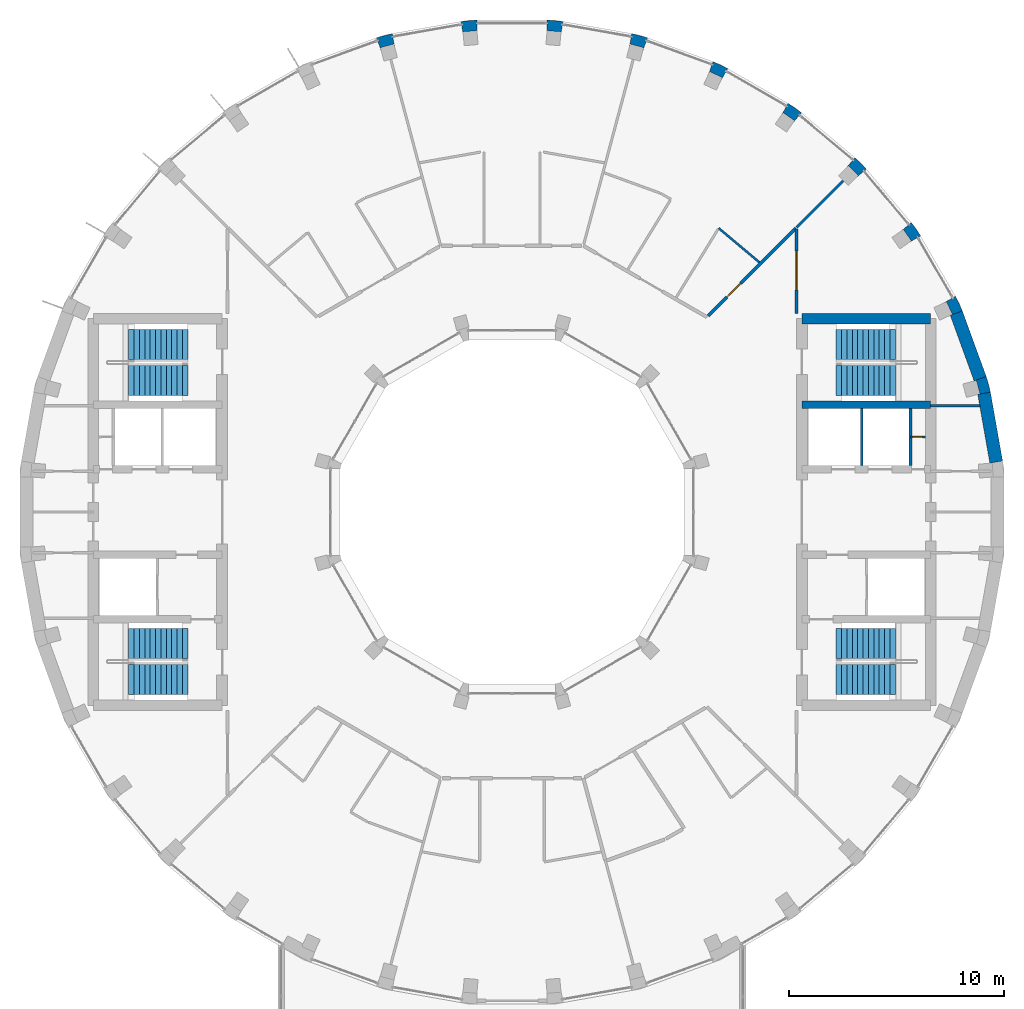
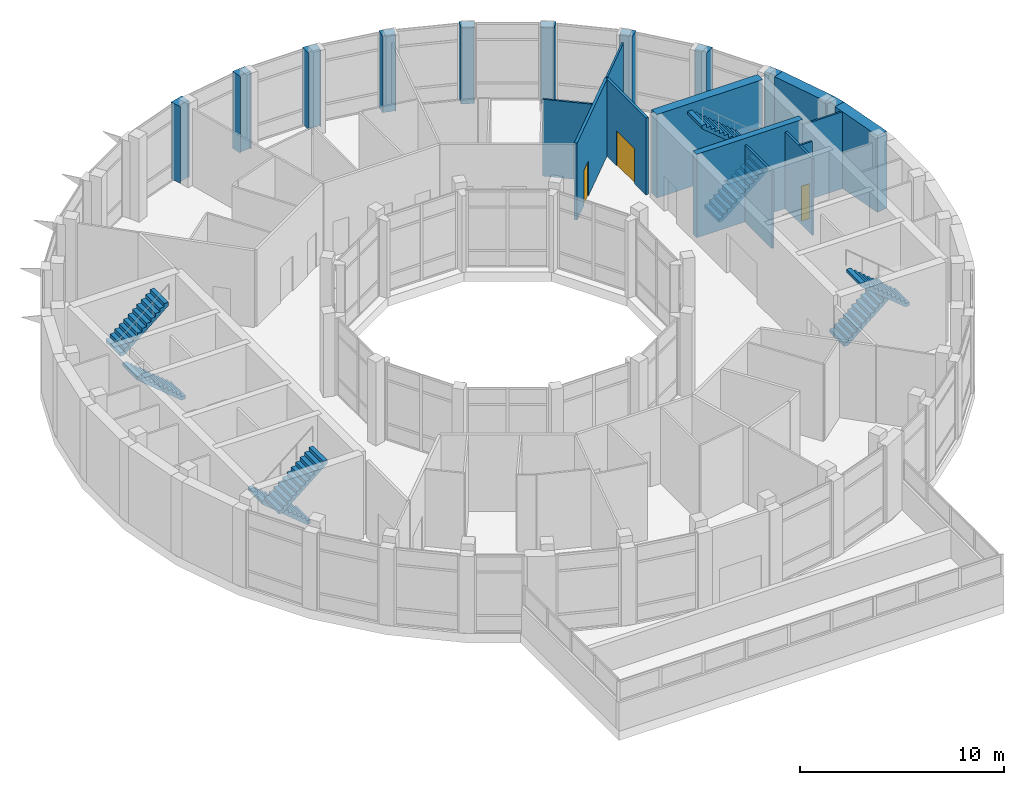
# One storey, part 17 of 19: 22 walls, 8 stair flights, 3 doors, 3 openings, 4 elements without a shape of their own.
"""IFC4 building model written with IfcOpenShell, lengths in metres."""

from ifc_helpers import new_model, si_unit, direction, frame, frame_2d, origin, place, context, subcontext, project, spatial, polyline, rectangle, outline, extrude, material, layer, layer_set, type_object, element, fill, aggregate, save


model = new_model("IFC4")

# Units and contexts
model_context = context("Model", 3, precision=1e-05, world=origin(), true_north=direction((0.0, 1.0)))
body_context = subcontext(model_context, "Body", "Model", "MODEL_VIEW")
ifc_project = project(units=[si_unit("LENGTHUNIT", "METRE"), si_unit("AREAUNIT", "SQUARE_METRE"), si_unit("VOLUMEUNIT", "CUBIC_METRE"), si_unit("PLANEANGLEUNIT", "RADIAN"), si_unit("MASSUNIT", "GRAM", prefix="KILO")], contexts=[model_context])

# Site, building, storey
site_placement = place(None, origin())
site = spatial("IfcSite", under=ifc_project, at=site_placement, CompositionType="ELEMENT")
building_placement = place(site_placement, origin())
building = spatial("IfcBuilding", under=site, at=building_placement, Name="Saqina Gate Tower", CompositionType="ELEMENT")
storey_placement = place(building_placement, frame((0.0, 0.0, 224.699951171875)))
storey = spatial("IfcBuildingStorey", under=building, at=storey_placement, Name="L64", CompositionType="ELEMENT", Elevation=224.699951171875)

# Walls
ifc_material_1 = material(Name="Brick masonry (buff)", Category="masonry")
wall_type_1 = type_object("IfcWallType", Name="BRICK PIER COPING BUFF", PredefinedType="SOLIDWALL", material=ifc_material_1)
wall_1_placement = place(storey_placement, origin())
element("IfcWall", 1, at=wall_1_placement, inside=storey, type_object=wall_type_1, Name="Pier cap L64 column 2", PredefinedType="SOLIDWALL", context=body_context, shape_type="SweptSolid", body=[
    extrude(outline(polyline([(22.0869140625, 6.30859375), (21.52294921875, 6.103515625), (21.625, 6.130859375), (21.793212890625, 5.5029296875), (21.691162109375, 5.4755859375), (22.281982421875, 5.579833984375), (22.0869140625, 6.30859375)])), origin(), (0.0, 0.0, 1.0), 4.60009765625),
])
wall_2_placement = place(storey_placement, origin())
element("IfcWall", 2, at=wall_2_placement, inside=storey, type_object=wall_type_1, Name="Pier cap L64 column 3", PredefinedType="SOLIDWALL", context=body_context, shape_type="SweptSolid", body=[
    extrude(outline(polyline([(20.974609375, 9.3642578125), (20.65576171875, 10.048095703125), (20.135986328125, 9.748291015625), (20.23193359375, 9.79296875), (20.506591796875, 9.203857421875), (20.410888671875, 9.1591796875), (20.974609375, 9.3642578125)])), origin(), (0.0, 0.0, 1.0), 4.60009765625),
])
wall_3_placement = place(storey_placement, origin())
element("IfcWall", 3, at=wall_3_placement, inside=storey, type_object=wall_type_1, Name="Pier cap L64 column 4", PredefinedType="SOLIDWALL", context=body_context, shape_type="SweptSolid", body=[
    extrude(outline(polyline([(19.02978515625, 12.8642578125), (18.59716796875, 13.482421875), (18.137451171875, 13.0966796875), (18.22412109375, 13.157470703125), (18.596923828125, 12.625), (18.51025390625, 12.564208984375), (19.02978515625, 12.8642578125)])), origin(), (0.0, 0.0, 1.0), 4.60009765625),
])
wall_4_placement = place(storey_placement, origin())
element("IfcWall", 4, at=wall_4_placement, inside=storey, type_object=wall_type_1, Name="Pier cap L64 column 5", PredefinedType="SOLIDWALL", context=body_context, shape_type="SweptSolid", body=[
    extrude(outline(polyline([(15.973388671875, 16.5068359375), (15.587646484375, 16.04736328125), (15.662353515625, 16.1220703125), (16.1220703125, 15.662353515625), (16.04736328125, 15.587646484375), (16.5068359375, 15.973388671875), (15.973388671875, 16.5068359375)])), origin(), (0.0, 0.0, 1.0), 4.60009765625),
])
wall_5_placement = place(storey_placement, origin())
element("IfcWall", 5, at=wall_5_placement, inside=storey, type_object=wall_type_1, Name="Pier cap L64 column 6", PredefinedType="SOLIDWALL", context=body_context, shape_type="SweptSolid", body=[
    extrude(outline(polyline([(12.8642578125, 19.02978515625), (12.564208984375, 18.51025390625), (12.625, 18.596923828125), (13.157470703125, 18.22412109375), (13.0966796875, 18.137451171875), (13.482421875, 18.59716796875), (12.8642578125, 19.02978515625)])), origin(), (0.0, 0.0, 1.0), 4.60009765625),
])
wall_6_placement = place(storey_placement, origin())
element("IfcWall", 6, at=wall_6_placement, inside=storey, type_object=wall_type_1, Name="Pier cap L64 column 7", PredefinedType="SOLIDWALL", context=body_context, shape_type="SweptSolid", body=[
    extrude(outline(polyline([(10.048095703125, 20.65576171875), (9.3642578125, 20.974609375), (9.1591796875, 20.410888671875), (9.203857421875, 20.506591796875), (9.79296875, 20.23193359375), (9.748291015625, 20.135986328125), (10.048095703125, 20.65576171875)])), origin(), (0.0, 0.0, 1.0), 4.60009765625),
])
wall_7_placement = place(storey_placement, origin())
element("IfcWall", 7, at=wall_7_placement, inside=storey, type_object=wall_type_1, Name="Pier cap L64 column 8", PredefinedType="SOLIDWALL", context=body_context, shape_type="SweptSolid", body=[
    extrude(outline(polyline([(5.579833984375, 22.281982421875), (5.4755859375, 21.691162109375), (5.5029296875, 21.793212890625), (6.130859375, 21.625), (6.103515625, 21.52294921875), (6.30859375, 22.0869140625), (5.579833984375, 22.281982421875)])), origin(), (0.0, 0.0, 1.0), 4.60009765625),
])
wall_8_placement = place(storey_placement, origin())
element("IfcWall", 8, at=wall_8_placement, inside=storey, type_object=wall_type_1, Name="Pier cap L64 column 9", PredefinedType="SOLIDWALL", context=body_context, shape_type="SweptSolid", body=[
    extrude(outline(polyline([(2.377685546875, 22.8466796875), (1.625732421875, 22.91259765625), (1.625732421875, 22.3125), (1.635009765625, 22.417724609375), (2.28271484375, 22.361083984375), (2.2734375, 22.255859375), (2.377685546875, 22.8466796875)])), origin(), (0.0, 0.0, 1.0), 4.60009765625),
])
wall_9_placement = place(storey_placement, origin())
element("IfcWall", 9, at=wall_9_placement, inside=storey, type_object=wall_type_1, Name="Pier cap L64 column 10", PredefinedType="SOLIDWALL", context=body_context, shape_type="SweptSolid", body=[
    extrude(outline(polyline([(-1.625732421875, 22.91259765625), (-2.377685546875, 22.8466796875), (-2.2734375, 22.255859375), (-2.28271484375, 22.361083984375), (-1.635009765625, 22.417724609375), (-1.625732421875, 22.3125), (-1.625732421875, 22.91259765625)])), origin(), (0.0, 0.0, 1.0), 4.60009765625),
])
wall_10_placement = place(storey_placement, origin())
element("IfcWall", 10, at=wall_10_placement, inside=storey, type_object=wall_type_1, Name="Pier cap L64 column 11", PredefinedType="SOLIDWALL", context=body_context, shape_type="SweptSolid", body=[
    extrude(outline(polyline([(-6.30859375, 22.0869140625), (-6.103515625, 21.52294921875), (-6.130859375, 21.625), (-5.5029296875, 21.793212890625), (-5.4755859375, 21.691162109375), (-5.579833984375, 22.281982421875), (-6.30859375, 22.0869140625)])), origin(), (0.0, 0.0, 1.0), 4.60009765625),
])

# Wall, opening, door
ifc_material_2 = material(Name="Gypsum board on steel studs", Category="steel")
ifc_layer_1 = layer(ifc_material_2, 0.10009765625)
ifc_layer_set_1 = layer_set([ifc_layer_1], Name="CORE PARTITION")
wall_type_2 = type_object("IfcWallType", Name="CORE PARTITION", PredefinedType="PARTITIONING", material=ifc_layer_set_1)
wall_11_placement = place(storey_placement, frame((18.56005859375, 3.5, 0.0), z_axis=(0.0, 0.0, 1.0), x_axis=(1.0, 0.0, 0.0)))
wall_11 = element("IfcWall", 11, at=wall_11_placement, inside=storey, type_object=wall_type_2, Name="L64-CP-E01", PredefinedType="PARTITIONING", context=body_context, shape_type="SweptSolid", body=[
    extrude(rectangle(XDim=0.68994140625, YDim=0.10009765625, at=frame_2d((0.344970703125, 0.0))), origin(), (0.0, 0.0, 1.0), 4.60009765625),
])
opening_1_placement = place(wall_11_placement, frame((0.10009765625, 0.0, 0.0)))
opening_1 = element("IfcOpeningElement", 12, at=opening_1_placement, cuts=wall_11, Name="Opening L64-D96", PredefinedType="OPENING", context=body_context, shape_type="SweptSolid", body=[
    extrude(rectangle(XDim=0.449951171875, YDim=2.10009765625, at=frame_2d((0.22509765625, 1.050048828125))), frame((0.0, 0.06201171875, 0.0), z_axis=(0.0, -1.0, 0.0), x_axis=(1.0, 0.0, 0.0)), (0.0, 0.0, 1.0), 0.1240234375),
])
ifc_material_3 = material(Name="Steel-framed fire door leaf, EI 60", Category="steel")
door_type_1 = type_object("IfcDoorType", Name="SERVICE ROOM DOOR 450", OperationType="SINGLE_SWING_LEFT", PredefinedType="DOOR", material=ifc_material_3)
door_1_placement = place(opening_1_placement, origin())
door_1 = element("IfcDoor", 13, at=door_1_placement, inside=storey, type_object=door_type_1, Name="L64-CD-E07", OperationType="SINGLE_SWING_RIGHT", OverallHeight=2.10009765625, OverallWidth=0.449951171875, PredefinedType="DOOR", context=body_context, shape_type="SweptSolid", body=[
    extrude(rectangle(XDim=0.449951171875, YDim=2.10009765625, at=frame_2d((0.22509765625, 1.050048828125))), frame((0.0, 0.02490234375, 0.0), z_axis=(0.0, -1.0, 0.0), x_axis=(1.0, 0.0, 0.0)), (0.0, 0.0, 1.0), 0.050048828125),
])
fill(opening_1, door_1)

# Walls
wall_12_placement = place(storey_placement, frame((19.5, 4.949951171875, 0.0), z_axis=(0.0, 0.0, 1.0), x_axis=(1.0, 0.0, 0.0)))
element("IfcWall", 14, at=wall_12_placement, inside=storey, type_object=wall_type_2, Name="L64-CP-E02", PredefinedType="PARTITIONING", context=body_context, shape_type="SweptSolid", body=[
    extrude(rectangle(XDim=2.283935546875, YDim=0.10009765625, at=frame_2d((1.14208984375, 0.0))), origin(), (0.0, 0.0, 1.0), 4.60009765625),
])
ifc_material_4 = material(Name="Glazed ceramic tile", Category="ceramic")
ifc_layer_2 = layer(ifc_material_4, 0.60009765625)
ifc_layer_set_2 = layer_set([ifc_layer_2], Name="FW-TILE")
wall_type_3 = type_object("IfcWallType", Name="FW-TILE", PredefinedType="SOLIDWALL", material=ifc_layer_set_2)
wall_13_placement = place(storey_placement, frame((22.55126953125, 2.325439453125, 0.0), z_axis=(0.0, 0.0, 1.0), x_axis=(-0.173656842178, 0.984806225186, 0.0)))
element("IfcWall", 15, at=wall_13_placement, inside=storey, type_object=wall_type_3, Name="Facade wall L64 facet 1", PredefinedType="SOLIDWALL", context=body_context, shape_type="SweptSolid", body=[
    extrude(rectangle(XDim=3.251708984375, YDim=0.60009765625, at=frame_2d((1.6259765625, 0.0))), origin(), (0.0, 0.0, 1.0), 4.60009765625),
])
ifc_material_5 = material(Name="Glazed ceramic tile (dark blue)", Category="ceramic")
ifc_layer_3 = layer(ifc_material_5, 0.60009765625)
ifc_layer_set_3 = layer_set([ifc_layer_3], Name="FW-TILE-CB")
wall_type_4 = type_object("IfcWallType", Name="FW-TILE-CB", PredefinedType="SOLIDWALL", material=ifc_layer_set_3)
wall_14_placement = place(storey_placement, frame((21.804931640625, 6.2060546875, 0.0), z_axis=(0.0, 0.0, 1.0), x_axis=(-0.342056509473, 0.939679383794, 0.0)))
element("IfcWall", 16, at=wall_14_placement, inside=storey, type_object=wall_type_4, Name="Facade wall L64 facet 2", PredefinedType="SOLIDWALL", context=body_context, shape_type="SweptSolid", body=[
    extrude(rectangle(XDim=3.251708984375, YDim=0.60009765625, at=frame_2d((1.6259765625, 0.0))), origin(), (0.0, 0.0, 1.0), 4.60009765625),
])
ifc_material_6 = material(Name="Autoclaved aerated concrete block", Category="concrete")
ifc_layer_4 = layer(ifc_material_6, 0.1201171875)
ifc_layer_set_4 = layer_set([ifc_layer_4], Name="SHAFT PARTITION")
wall_type_5 = type_object("IfcWallType", Name="SHAFT PARTITION", PredefinedType="PARTITIONING", material=ifc_layer_set_4)
for number, where, z_axis, x_axis, name in (
    (17, (16.280029296875, 2.175048828125, 0.0), (0.0, 0.0, 1.0), (0.0, 1.0, 0.0), "L64-CP-E07"),
    (18, (18.56005859375, 2.175048828125, 0.0), (0.0, 0.0, 1.0), (0.0, 1.0, 0.0), "L64-CP-E08"),
):
    element("IfcWall", number, at=place(storey_placement, frame(where, z_axis=z_axis, x_axis=x_axis)), inside=storey, type_object=wall_type_5, Name=name, PredefinedType="PARTITIONING", context=body_context, shape_type="SweptSolid", body=[
        extrude(rectangle(XDim=2.64990234375, YDim=0.1201171875, at=frame_2d((1.324951171875, 0.0))), origin(), (0.0, 0.0, 1.0), 4.60009765625),
    ])
ifc_material_7 = material(Name="Gypsum board on steel studs, 100 mm", Category="steel")
ifc_layer_5 = layer(ifc_material_7, 0.10009765625)
ifc_layer_set_5 = layer_set([ifc_layer_5], Name="SPECIAL PARTITION 100")
wall_type_6 = type_object("IfcWallType", Name="SPECIAL PARTITION 100", PredefinedType="PARTITIONING", material=ifc_layer_set_5)
wall_15_placement = place(storey_placement, frame((9.625, 13.218017578125, 0.0), z_axis=(0.0, 0.0, 1.0), x_axis=(0.766147679589, -0.642664557184, 0.0)))
element("IfcWall", 19, at=wall_15_placement, inside=storey, type_object=wall_type_6, Name="PARTITION 013", PredefinedType="PARTITIONING", context=body_context, shape_type="SweptSolid", body=[
    extrude(rectangle(XDim=2.475341796875, YDim=0.10009765625, at=frame_2d((1.23779296875, 0.0))), origin(), (0.0, 0.0, 1.0), 4.60009765625),
])
wall_16_placement = place(storey_placement, frame((13.25, 13.25, 0.0), z_axis=(0.0, 0.0, 1.0), x_axis=(0.707106781187, 0.707106781187, 0.0)))
element("IfcWall", 20, at=wall_16_placement, inside=storey, type_object=wall_type_6, Name="PARTITION 035", PredefinedType="PARTITIONING", context=body_context, shape_type="SweptSolid", body=[
    extrude(rectangle(XDim=3.07666015625, YDim=0.10009765625, at=frame_2d((1.538330078125, 0.0))), origin(), (0.0, 0.0, 1.0), 4.60009765625),
])

# Wall, opening, door
ifc_material_8 = material(Name="Gypsum board on steel studs, 150 mm, fire rated", Category="steel")
ifc_layer_6 = layer(ifc_material_8, 0.14990234375)
ifc_layer_set_6 = layer_set([ifc_layer_6], Name="SPECIAL PARTITION EI 30 150")
wall_type_7 = type_object("IfcWallType", Name="SPECIAL PARTITION EI 30 150", PredefinedType="PARTITIONING", material=ifc_layer_set_6)
wall_17_placement = place(storey_placement, frame((9.1298828125, 9.1298828125, 0.0), z_axis=(0.0, 0.0, 1.0), x_axis=(0.707106781187, 0.707106781187, 0.0)))
wall_17 = element("IfcWall", 21, at=wall_17_placement, inside=storey, type_object=wall_type_7, Name="PARTITION 037", PredefinedType="PARTITIONING", context=body_context, shape_type="SweptSolid", body=[
    extrude(rectangle(XDim=5.776611328125, YDim=0.14990234375, at=frame_2d((2.88818359375, 0.0))), origin(), (0.0, 0.0, 1.0), 4.60009765625),
])
opening_2_placement = place(wall_17_placement, frame((1.244140625, 0.0, 0.0)))
opening_2 = element("IfcOpeningElement", 22, at=opening_2_placement, cuts=wall_17, Name="Opening L64-D02", PredefinedType="OPENING", context=body_context, shape_type="SweptSolid", body=[
    extrude(rectangle(XDim=0.89990234375, YDim=2.10009765625, at=frame_2d((0.449951171875, 1.050048828125))), frame((0.0, 0.0869140625, 0.0), z_axis=(0.0, -1.0, 0.0), x_axis=(1.0, 0.0, 0.0)), (0.0, 0.0, 1.0), 0.173828125),
])
ifc_material_9 = material(Name="Steel-framed fire door leaf, EI 30", Category="steel")
door_type_2 = type_object("IfcDoorType", Name="SPECIAL DOOR 900 FIRE EI 30", OperationType="SINGLE_SWING_LEFT", PredefinedType="DOOR", material=ifc_material_9)
door_2_placement = place(opening_2_placement, origin())
door_2 = element("IfcDoor", 23, at=door_2_placement, inside=storey, type_object=door_type_2, Name="DOOR L64-D02", OperationType="SINGLE_SWING_LEFT", OverallHeight=2.10009765625, OverallWidth=0.89990234375, PredefinedType="DOOR", context=body_context, shape_type="SweptSolid", body=[
    extrude(rectangle(XDim=0.89990234375, YDim=2.10009765625, at=frame_2d((0.449951171875, 1.050048828125))), frame((0.0, 0.02490234375, 0.0), z_axis=(0.0, -1.0, 0.0), x_axis=(1.0, 0.0, 0.0)), (0.0, 0.0, 1.0), 0.050048828125),
])
fill(opening_2, door_2)

wall_18_placement = place(storey_placement, frame((13.25, 9.25, 0.0), z_axis=(0.0, 0.0, 1.0), x_axis=(0.0, 1.0, 0.0)))
wall_18 = element("IfcWall", 24, at=wall_18_placement, inside=storey, type_object=wall_type_7, Name="PARTITION 045", PredefinedType="PARTITIONING", context=body_context, shape_type="SweptSolid", body=[
    extrude(rectangle(XDim=3.925048828125, YDim=0.14990234375, at=frame_2d((1.96240234375, 0.0))), origin(), (0.0, 0.0, 1.0), 4.60009765625),
])
opening_3_placement = place(wall_18_placement, frame((1.10009765625, 0.0, 0.0)))
opening_3 = element("IfcOpeningElement", 25, at=opening_3_placement, cuts=wall_18, Name="Opening L64-D01", PredefinedType="OPENING", context=body_context, shape_type="SweptSolid", body=[
    extrude(rectangle(XDim=1.800048828125, YDim=2.10009765625, at=frame_2d((0.89990234375, 1.050048828125))), frame((0.0, 0.0869140625, 0.0), z_axis=(0.0, -1.0, 0.0), x_axis=(1.0, 0.0, 0.0)), (0.0, 0.0, 1.0), 0.173828125),
])
ifc_material_10 = material(Name="Steel-framed fire door leaf, EI 30", Category="steel")
door_type_3 = type_object("IfcDoorType", Name="SPECIAL DOUBLE DOOR 1800 FIRE EI 30", OperationType="DOUBLE_DOOR_SINGLE_SWING", PredefinedType="DOOR", material=ifc_material_10)
door_3_placement = place(opening_3_placement, frame((1.800048828125, 0.0, 0.0), z_axis=(0.0, 0.0, 1.0), x_axis=(-1.0, 0.0, 0.0)))
door_3 = element("IfcDoor", 26, at=door_3_placement, inside=storey, type_object=door_type_3, Name="DOOR L64-D01", OperationType="DOUBLE_DOOR_SINGLE_SWING", OverallHeight=2.10009765625, OverallWidth=1.800048828125, PredefinedType="DOOR", context=body_context, shape_type="SweptSolid", body=[
    extrude(rectangle(XDim=1.800048828125, YDim=2.10009765625, at=frame_2d((0.89990234375, 1.050048828125))), frame((0.0, 0.02490234375, 0.0), z_axis=(0.0, -1.0, 0.0), x_axis=(1.0, 0.0, 0.0)), (0.0, 0.0, 1.0), 0.050048828125),
])
fill(opening_3, door_3)

# Walls
ifc_material_11 = material(Name="Concrete C60/75", Category="concrete")
ifc_layer_7 = layer(ifc_material_11, 0.35009765625)
ifc_layer_set_7 = layer_set([ifc_layer_7], Name="Concrete C60/75")
wall_type_8 = type_object("IfcWallType", Name="STR-CORE WALL-D-I", PredefinedType="SHEAR", material=ifc_layer_set_7)
wall_19_placement = place(storey_placement, frame((13.5, 5.0, 0.0), z_axis=(0.0, 0.0, 1.0), x_axis=(1.0, 0.0, 0.0)))
element("IfcWall", 27, at=wall_19_placement, inside=storey, type_object=wall_type_8, Name="CORE WALL L64 E-X1", PredefinedType="SHEAR", context=body_context, shape_type="SweptSolid", body=[
    extrude(rectangle(XDim=6.0, YDim=0.35009765625, at=frame_2d((3.0, 0.0))), origin(), (0.0, 0.0, 1.0), 5.0),
])
ifc_material_12 = material(Name="Concrete C60/75", Category="concrete")
ifc_layer_8 = layer(ifc_material_12, 0.5)
ifc_layer_set_8 = layer_set([ifc_layer_8], Name="Concrete C60/75")
wall_type_9 = type_object("IfcWallType", Name="STR-CORE WALL-D-O", PredefinedType="SHEAR", material=ifc_layer_set_8)
wall_20_placement = place(storey_placement, frame((13.5, 9.0, 0.0), z_axis=(0.0, 0.0, 1.0), x_axis=(1.0, 0.0, 0.0)))
element("IfcWall", 28, at=wall_20_placement, inside=storey, type_object=wall_type_9, Name="CORE WALL L64 E-NE", PredefinedType="SHEAR", context=body_context, shape_type="SweptSolid", body=[
    extrude(rectangle(XDim=6.0, YDim=0.5, at=frame_2d((3.0, 0.0))), origin(), (0.0, 0.0, 1.0), 5.0),
])

# Stair, stair flights
ifc_material_13 = material(Name="Concrete C40/50", Category="concrete")
stair_type = type_object("IfcStairType", Name="EXIT STAIR", PredefinedType="HALF_TURN_STAIR", material=ifc_material_13)
stair_1_placement = place(storey_placement, origin())
stair_1 = element("IfcStair", 29, at=stair_1_placement, inside=storey, type_object=stair_type, Name="EXIT STAIR 1", PredefinedType="HALF_TURN_STAIR")
ifc_material_14 = material(Name="Concrete C40/50", Category="concrete")
stair_flight_type = type_object("IfcStairFlightType", Name="EXIT STAIR FLIGHT", PredefinedType="STRAIGHT", material=ifc_material_14)
stair_flight_1_placement = place(storey_placement, frame((15.10009765625, 6.13330078125, 0.0), z_axis=(0.0, 0.0, 1.0), x_axis=(1.0, 0.0, 0.0)))
stair_flight_1 = element("IfcStairFlight", 30, at=stair_flight_1_placement, type_object=stair_flight_type, Name="EXIT STAIR 1 FLIGHT 1", NumberOfRisers=12, NumberOfTreads=11, PredefinedType="STRAIGHT", RiserHeight=0.208333333, TreadLength=0.25, context=body_context, shape_type="SweptSolid", body=[
    extrude(outline(polyline([(0.0, 0.0), (0.0, 0.208251953125), (0.25, 0.208251953125), (0.25, 0.416748046875), (0.5, 0.416748046875), (0.5, 0.625), (0.75, 0.625), (0.75, 0.833251953125), (1.0, 0.833251953125), (1.0, 1.041748046875), (1.25, 1.041748046875), (1.25, 1.25), (1.5, 1.25), (1.5, 1.458251953125), (1.75, 1.458251953125), (1.75, 1.666748046875), (2.0, 1.666748046875), (2.0, 1.875), (2.25, 1.875), (2.25, 2.083251953125), (2.5, 2.083251953125), (2.5, 2.291748046875), (2.75, 2.291748046875), (2.75, 2.5), (2.75, 2.096435546875), (0.234130859375, 0.0), (0.0, 0.0)])), frame((0.0, 0.699951171875, 0.0), z_axis=(0.0, -1.0, 0.0), x_axis=(1.0, 0.0, 0.0)), (0.0, 0.0, 1.0), 1.39990234375),
])
stair_flight_2_placement = place(storey_placement, frame((17.85009765625, 7.791748046875, 2.5), z_axis=(0.0, 0.0, 1.0), x_axis=(-1.0, 0.0, 0.0)))
stair_flight_2 = element("IfcStairFlight", 31, at=stair_flight_2_placement, type_object=stair_flight_type, Name="EXIT STAIR 1 FLIGHT 2", NumberOfRisers=12, NumberOfTreads=11, PredefinedType="STRAIGHT", RiserHeight=0.208333333, TreadLength=0.25, context=body_context, shape_type="SweptSolid", body=[
    extrude(outline(polyline([(0.0, 0.0), (0.0, 0.208251953125), (0.25, 0.208251953125), (0.25, 0.416748046875), (0.5, 0.416748046875), (0.5, 0.625), (0.75, 0.625), (0.75, 0.833251953125), (1.0, 0.833251953125), (1.0, 1.041748046875), (1.25, 1.041748046875), (1.25, 1.25), (1.5, 1.25), (1.5, 1.458251953125), (1.75, 1.458251953125), (1.75, 1.666748046875), (2.0, 1.666748046875), (2.0, 1.875), (2.25, 1.875), (2.25, 2.083251953125), (2.5, 2.083251953125), (2.5, 2.291748046875), (2.75, 2.291748046875), (2.75, 2.5), (2.75, 2.096435546875), (0.234130859375, 0.0), (0.0, 0.0)])), frame((0.0, 0.699951171875, 0.0), z_axis=(0.0, -1.0, 0.0), x_axis=(1.0, 0.0, 0.0)), (0.0, 0.0, 1.0), 1.39990234375),
])
aggregate(stair_1, [stair_flight_1, stair_flight_2])

stair_2_placement = place(storey_placement, origin())
stair_2 = element("IfcStair", 32, at=stair_2_placement, inside=storey, type_object=stair_type, Name="EXIT STAIR 2", PredefinedType="HALF_TURN_STAIR")
stair_flight_3_placement = place(storey_placement, frame((15.10009765625, -6.13330078125, 0.0), z_axis=(0.0, 0.0, 1.0), x_axis=(1.0, 0.0, 0.0)))
stair_flight_3 = element("IfcStairFlight", 33, at=stair_flight_3_placement, type_object=stair_flight_type, Name="EXIT STAIR 2 FLIGHT 1", NumberOfRisers=12, NumberOfTreads=11, PredefinedType="STRAIGHT", RiserHeight=0.208333333, TreadLength=0.25, context=body_context, shape_type="SweptSolid", body=[
    extrude(outline(polyline([(0.0, 0.0), (0.0, 0.208251953125), (0.25, 0.208251953125), (0.25, 0.416748046875), (0.5, 0.416748046875), (0.5, 0.625), (0.75, 0.625), (0.75, 0.833251953125), (1.0, 0.833251953125), (1.0, 1.041748046875), (1.25, 1.041748046875), (1.25, 1.25), (1.5, 1.25), (1.5, 1.458251953125), (1.75, 1.458251953125), (1.75, 1.666748046875), (2.0, 1.666748046875), (2.0, 1.875), (2.25, 1.875), (2.25, 2.083251953125), (2.5, 2.083251953125), (2.5, 2.291748046875), (2.75, 2.291748046875), (2.75, 2.5), (2.75, 2.096435546875), (0.234130859375, 0.0), (0.0, 0.0)])), frame((0.0, 0.699951171875, 0.0), z_axis=(0.0, -1.0, 0.0), x_axis=(1.0, 0.0, 0.0)), (0.0, 0.0, 1.0), 1.39990234375),
])
stair_flight_4_placement = place(storey_placement, frame((17.85009765625, -7.791748046875, 2.5), z_axis=(0.0, 0.0, 1.0), x_axis=(-1.0, 0.0, 0.0)))
stair_flight_4 = element("IfcStairFlight", 34, at=stair_flight_4_placement, type_object=stair_flight_type, Name="EXIT STAIR 2 FLIGHT 2", NumberOfRisers=12, NumberOfTreads=11, PredefinedType="STRAIGHT", RiserHeight=0.208333333, TreadLength=0.25, context=body_context, shape_type="SweptSolid", body=[
    extrude(outline(polyline([(0.0, 0.0), (0.0, 0.208251953125), (0.25, 0.208251953125), (0.25, 0.416748046875), (0.5, 0.416748046875), (0.5, 0.625), (0.75, 0.625), (0.75, 0.833251953125), (1.0, 0.833251953125), (1.0, 1.041748046875), (1.25, 1.041748046875), (1.25, 1.25), (1.5, 1.25), (1.5, 1.458251953125), (1.75, 1.458251953125), (1.75, 1.666748046875), (2.0, 1.666748046875), (2.0, 1.875), (2.25, 1.875), (2.25, 2.083251953125), (2.5, 2.083251953125), (2.5, 2.291748046875), (2.75, 2.291748046875), (2.75, 2.5), (2.75, 2.096435546875), (0.234130859375, 0.0), (0.0, 0.0)])), frame((0.0, 0.699951171875, 0.0), z_axis=(0.0, -1.0, 0.0), x_axis=(1.0, 0.0, 0.0)), (0.0, 0.0, 1.0), 1.39990234375),
])
aggregate(stair_2, [stair_flight_3, stair_flight_4])

stair_3_placement = place(storey_placement, origin())
stair_3 = element("IfcStair", 35, at=stair_3_placement, inside=storey, type_object=stair_type, Name="EXIT STAIR 3", PredefinedType="HALF_TURN_STAIR")
stair_flight_5_placement = place(storey_placement, frame((-15.10009765625, 6.13330078125, 0.0), z_axis=(0.0, 0.0, 1.0), x_axis=(-1.0, 0.0, 0.0)))
stair_flight_5 = element("IfcStairFlight", 36, at=stair_flight_5_placement, type_object=stair_flight_type, Name="EXIT STAIR 3 FLIGHT 1", NumberOfRisers=12, NumberOfTreads=11, PredefinedType="STRAIGHT", RiserHeight=0.208333333, TreadLength=0.25, context=body_context, shape_type="SweptSolid", body=[
    extrude(outline(polyline([(0.0, 0.0), (0.0, 0.208251953125), (0.25, 0.208251953125), (0.25, 0.416748046875), (0.5, 0.416748046875), (0.5, 0.625), (0.75, 0.625), (0.75, 0.833251953125), (1.0, 0.833251953125), (1.0, 1.041748046875), (1.25, 1.041748046875), (1.25, 1.25), (1.5, 1.25), (1.5, 1.458251953125), (1.75, 1.458251953125), (1.75, 1.666748046875), (2.0, 1.666748046875), (2.0, 1.875), (2.25, 1.875), (2.25, 2.083251953125), (2.5, 2.083251953125), (2.5, 2.291748046875), (2.75, 2.291748046875), (2.75, 2.5), (2.75, 2.096435546875), (0.234130859375, 0.0), (0.0, 0.0)])), frame((0.0, 0.699951171875, 0.0), z_axis=(0.0, -1.0, 0.0), x_axis=(1.0, 0.0, 0.0)), (0.0, 0.0, 1.0), 1.39990234375),
])
stair_flight_6_placement = place(storey_placement, frame((-17.85009765625, 7.791748046875, 2.5), z_axis=(0.0, 0.0, 1.0), x_axis=(1.0, 0.0, 0.0)))
stair_flight_6 = element("IfcStairFlight", 37, at=stair_flight_6_placement, type_object=stair_flight_type, Name="EXIT STAIR 3 FLIGHT 2", NumberOfRisers=12, NumberOfTreads=11, PredefinedType="STRAIGHT", RiserHeight=0.208333333, TreadLength=0.25, context=body_context, shape_type="SweptSolid", body=[
    extrude(outline(polyline([(0.0, 0.0), (0.0, 0.208251953125), (0.25, 0.208251953125), (0.25, 0.416748046875), (0.5, 0.416748046875), (0.5, 0.625), (0.75, 0.625), (0.75, 0.833251953125), (1.0, 0.833251953125), (1.0, 1.041748046875), (1.25, 1.041748046875), (1.25, 1.25), (1.5, 1.25), (1.5, 1.458251953125), (1.75, 1.458251953125), (1.75, 1.666748046875), (2.0, 1.666748046875), (2.0, 1.875), (2.25, 1.875), (2.25, 2.083251953125), (2.5, 2.083251953125), (2.5, 2.291748046875), (2.75, 2.291748046875), (2.75, 2.5), (2.75, 2.096435546875), (0.234130859375, 0.0), (0.0, 0.0)])), frame((0.0, 0.699951171875, 0.0), z_axis=(0.0, -1.0, 0.0), x_axis=(1.0, 0.0, 0.0)), (0.0, 0.0, 1.0), 1.39990234375),
])
aggregate(stair_3, [stair_flight_5, stair_flight_6])

stair_4_placement = place(storey_placement, origin())
stair_4 = element("IfcStair", 38, at=stair_4_placement, inside=storey, type_object=stair_type, Name="EXIT STAIR 4", PredefinedType="HALF_TURN_STAIR")
stair_flight_7_placement = place(storey_placement, frame((-15.10009765625, -6.13330078125, 0.0), z_axis=(0.0, 0.0, 1.0), x_axis=(-1.0, 0.0, 0.0)))
stair_flight_7 = element("IfcStairFlight", 39, at=stair_flight_7_placement, type_object=stair_flight_type, Name="EXIT STAIR 4 FLIGHT 1", NumberOfRisers=12, NumberOfTreads=11, PredefinedType="STRAIGHT", RiserHeight=0.208333333, TreadLength=0.25, context=body_context, shape_type="SweptSolid", body=[
    extrude(outline(polyline([(0.0, 0.0), (0.0, 0.208251953125), (0.25, 0.208251953125), (0.25, 0.416748046875), (0.5, 0.416748046875), (0.5, 0.625), (0.75, 0.625), (0.75, 0.833251953125), (1.0, 0.833251953125), (1.0, 1.041748046875), (1.25, 1.041748046875), (1.25, 1.25), (1.5, 1.25), (1.5, 1.458251953125), (1.75, 1.458251953125), (1.75, 1.666748046875), (2.0, 1.666748046875), (2.0, 1.875), (2.25, 1.875), (2.25, 2.083251953125), (2.5, 2.083251953125), (2.5, 2.291748046875), (2.75, 2.291748046875), (2.75, 2.5), (2.75, 2.096435546875), (0.234130859375, 0.0), (0.0, 0.0)])), frame((0.0, 0.699951171875, 0.0), z_axis=(0.0, -1.0, 0.0), x_axis=(1.0, 0.0, 0.0)), (0.0, 0.0, 1.0), 1.39990234375),
])
stair_flight_8_placement = place(storey_placement, frame((-17.85009765625, -7.791748046875, 2.5), z_axis=(0.0, 0.0, 1.0), x_axis=(1.0, 0.0, 0.0)))
stair_flight_8 = element("IfcStairFlight", 40, at=stair_flight_8_placement, type_object=stair_flight_type, Name="EXIT STAIR 4 FLIGHT 2", NumberOfRisers=12, NumberOfTreads=11, PredefinedType="STRAIGHT", RiserHeight=0.208333333, TreadLength=0.25, context=body_context, shape_type="SweptSolid", body=[
    extrude(outline(polyline([(0.0, 0.0), (0.0, 0.208251953125), (0.25, 0.208251953125), (0.25, 0.416748046875), (0.5, 0.416748046875), (0.5, 0.625), (0.75, 0.625), (0.75, 0.833251953125), (1.0, 0.833251953125), (1.0, 1.041748046875), (1.25, 1.041748046875), (1.25, 1.25), (1.5, 1.25), (1.5, 1.458251953125), (1.75, 1.458251953125), (1.75, 1.666748046875), (2.0, 1.666748046875), (2.0, 1.875), (2.25, 1.875), (2.25, 2.083251953125), (2.5, 2.083251953125), (2.5, 2.291748046875), (2.75, 2.291748046875), (2.75, 2.5), (2.75, 2.096435546875), (0.234130859375, 0.0), (0.0, 0.0)])), frame((0.0, 0.699951171875, 0.0), z_axis=(0.0, -1.0, 0.0), x_axis=(1.0, 0.0, 0.0)), (0.0, 0.0, 1.0), 1.39990234375),
])
aggregate(stair_4, [stair_flight_7, stair_flight_8])

save(model, "model.ifc")
